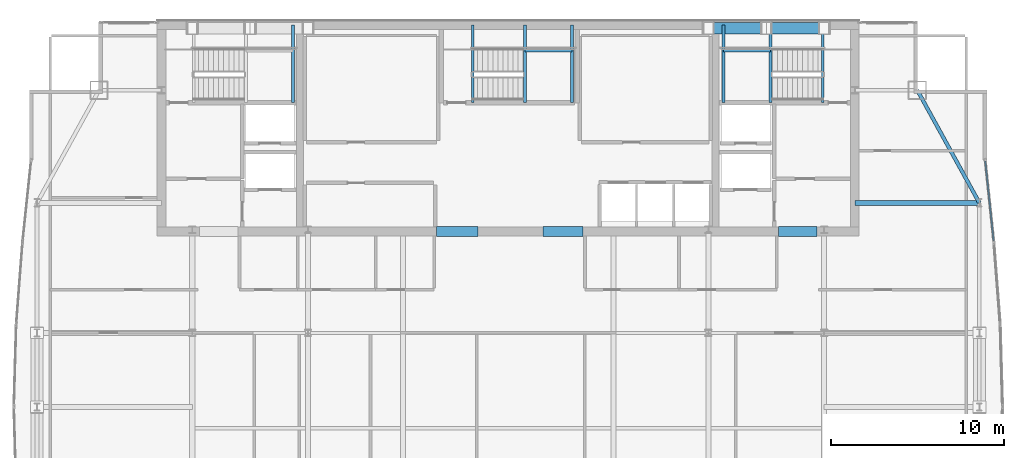
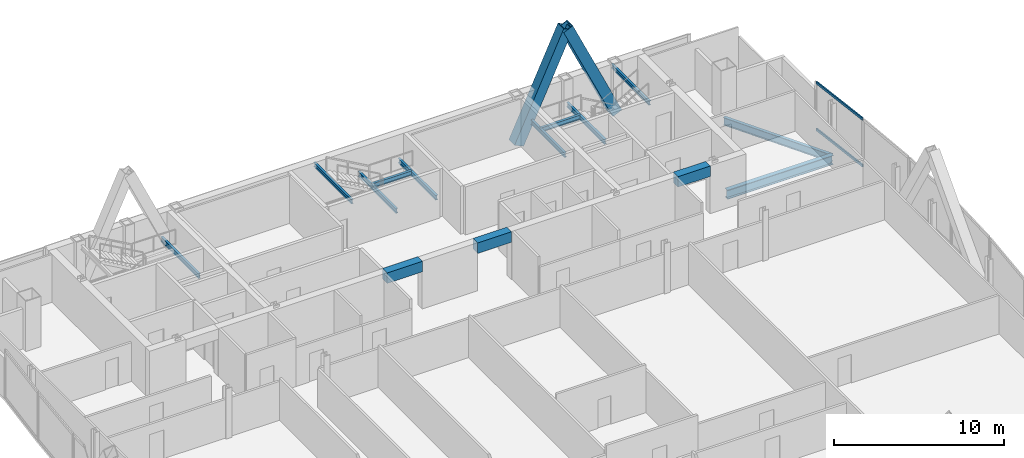
# One storey, part 22 of 30: 14 beams, 4 members, 1 element without a shape of its own.
"""IFC4 building model written with IfcOpenShell, lengths in metres."""

from ifc_helpers import new_model, si_unit, direction, frame, origin, origin_2d, place, context, subcontext, project, spatial, rectangle, hollow_rectangle, i_section, extrude, material, material_profile, profile_set, type_object, element, aggregate, save


model = new_model("IFC4")

# Units and contexts
model_context = context("Model", 3, precision=1e-05, world=origin(), true_north=direction((0.0, 1.0)))
body_context = subcontext(model_context, "Body", "Model", "MODEL_VIEW")
ifc_project = project(units=[si_unit("LENGTHUNIT", "METRE"), si_unit("AREAUNIT", "SQUARE_METRE"), si_unit("VOLUMEUNIT", "CUBIC_METRE"), si_unit("PLANEANGLEUNIT", "RADIAN"), si_unit("MASSUNIT", "GRAM", prefix="KILO")], contexts=[model_context])

# Site, building, storey
site_placement = place(None, origin())
site = spatial("IfcSite", under=ifc_project, at=site_placement, CompositionType="ELEMENT")
building_placement = place(site_placement, origin())
building = spatial("IfcBuilding", under=site, at=building_placement, Name="Khoronbel Lancet Exchange", CompositionType="ELEMENT")
storey_placement = place(building_placement, frame((0.0, 0.0, 284.199951171875)))
storey = spatial("IfcBuildingStorey", under=building, at=storey_placement, Name="L73", CompositionType="ELEMENT", Elevation=284.199951171875)

# Beams
ifc_material_1 = material(Name="Steel S355", Category="steel")
ifc_material_profile_1 = material_profile(ifc_material_1, i_section(OverallWidth=0.300048828125, OverallDepth=0.64990234375, WebThickness=0.01611328125, FlangeThickness=0.031005859375, at=origin_2d()), Name="HEB 650")
ifc_profile_set_1 = profile_set([ifc_material_profile_1], Name="Steel S355")
beam_type_1 = type_object("IfcBeamType", Name="BM-BG4", PredefinedType="BEAM", material=ifc_profile_set_1)
beam_1_placement = place(storey_placement, frame((56.449951171875, 43.199951171875, -0.48486328125), z_axis=(1.0, 0.0, 0.0), x_axis=(0.0, 1.0, 0.0)))
element("IfcBeam", 1, at=beam_1_placement, inside=storey, type_object=beam_type_1, Name="Level L73 east lens tie girder LG3E", PredefinedType="BEAM", context=body_context, shape_type="SweptSolid", body=[
    extrude(i_section(OverallWidth=0.300048828125, OverallDepth=0.64990234375, WebThickness=0.01611328125, FlangeThickness=0.031005859375, at=origin_2d()), origin(), (0.0, 0.0, 1.0), 7.179931640625),
])
ifc_material_profile_2 = material_profile(ifc_material_1, i_section(OverallWidth=0.159912109375, OverallDepth=0.330078125, WebThickness=0.007568359375, FlangeThickness=0.011474609375, at=origin_2d()), Name="IPE 330")
ifc_profile_set_2 = profile_set([ifc_material_profile_2], Name="Steel S355")
beam_type_2 = type_object("IfcBeamType", Name="BM-BJ7", PredefinedType="JOIST", material=ifc_profile_set_2)
for number, where, z_axis, x_axis, name in (
    (2, (24.030029296875, 48.97998046875, 1.43505859375), (0.0, 1.0, 0.0), (-1.0, 0.0, 0.0), "Level L73 stair ST1 rear landing bearer beam 1"),
    (3, (51.580078125, 48.97998046875, 1.43505859375), (0.0, 1.0, 0.0), (-1.0, 0.0, 0.0), "Level L73 stair ST2 landing bearer beam 1"),
    (4, (48.8701171875, 48.97998046875, 1.43505859375), (0.0, 1.0, 0.0), (-1.0, 0.0, 0.0), "Level L73 stair ST2 rear landing bearer beam 1"),
):
    element("IfcBeam", number, at=place(storey_placement, frame(where, z_axis=z_axis, x_axis=x_axis)), inside=storey, type_object=beam_type_2, Name=name, PredefinedType="JOIST", context=body_context, shape_type="SweptSolid", body=[
        extrude(i_section(OverallWidth=0.159912109375, OverallDepth=0.330078125, WebThickness=0.007568359375, FlangeThickness=0.011474609375, at=origin_2d()), origin(), (0.0, 0.0, 1.0), 4.469970703125),
    ])
beam_2_placement = place(storey_placement, frame((48.8701171875, 51.97998046875, 1.43505859375), z_axis=(1.0, 0.0, 0.0), x_axis=(0.0, 1.0, 0.0)))
element("IfcBeam", 5, at=beam_2_placement, inside=storey, type_object=beam_type_2, Name="Level L73 stair ST2 landing cross trimmer beam 1", PredefinedType="JOIST", context=body_context, shape_type="SweptSolid", body=[
    extrude(i_section(OverallWidth=0.159912109375, OverallDepth=0.330078125, WebThickness=0.007568359375, FlangeThickness=0.011474609375, at=origin_2d()), origin(), (0.0, 0.0, 1.0), 2.7099609375),
])
for number, where, z_axis, x_axis, name in (
    (6, (37.419921875, 48.97998046875, 1.43505859375), (0.0, 1.0, 0.0), (-1.0, 0.0, 0.0), "Level L73 stair ST3 landing bearer beam 1"),
    (7, (40.1298828125, 48.97998046875, 1.43505859375), (0.0, 1.0, 0.0), (-1.0, 0.0, 0.0), "Level L73 stair ST3 rear landing bearer beam 1"),
):
    element("IfcBeam", number, at=place(storey_placement, frame(where, z_axis=z_axis, x_axis=x_axis)), inside=storey, type_object=beam_type_2, Name=name, PredefinedType="JOIST", context=body_context, shape_type="SweptSolid", body=[
        extrude(i_section(OverallWidth=0.159912109375, OverallDepth=0.330078125, WebThickness=0.007568359375, FlangeThickness=0.011474609375, at=origin_2d()), origin(), (0.0, 0.0, 1.0), 4.469970703125),
    ])
beam_3_placement = place(storey_placement, frame((37.419921875, 51.97998046875, 1.43505859375), z_axis=(1.0, 0.0, 0.0), x_axis=(0.0, 1.0, 0.0)))
element("IfcBeam", 8, at=beam_3_placement, inside=storey, type_object=beam_type_2, Name="Level L73 stair ST3 landing cross trimmer beam 1", PredefinedType="JOIST", context=body_context, shape_type="SweptSolid", body=[
    extrude(i_section(OverallWidth=0.159912109375, OverallDepth=0.330078125, WebThickness=0.007568359375, FlangeThickness=0.011474609375, at=origin_2d()), origin(), (0.0, 0.0, 1.0), 2.7099609375),
])
ifc_material_profile_3 = material_profile(ifc_material_1, i_section(OverallWidth=0.14990234375, OverallDepth=0.300048828125, WebThickness=0.007080078125, FlangeThickness=0.0107421875, at=origin_2d()), Name="IPE 300")
ifc_profile_set_3 = profile_set([ifc_material_profile_3], Name="Steel S355")
beam_type_3 = type_object("IfcBeamType", Name="BM-BJ8", PredefinedType="JOIST", material=ifc_profile_set_3)
for number, where, z_axis, x_axis, name in (
    (9, (54.60009765625, 48.97998046875, 3.16015625), (0.0, 1.0, 0.0), (-1.0, 0.0, 0.0), "Level L73 stair ST2 upper-flight arrival trimmer beam"),
    (10, (34.39990234375, 48.97998046875, 3.16015625), (0.0, 1.0, 0.0), (-1.0, 0.0, 0.0), "Level L73 stair ST3 upper-flight arrival trimmer beam"),
):
    element("IfcBeam", number, at=place(storey_placement, frame(where, z_axis=z_axis, x_axis=x_axis)), inside=storey, type_object=beam_type_3, Name=name, PredefinedType="JOIST", context=body_context, shape_type="SweptSolid", body=[
        extrude(i_section(OverallWidth=0.14990234375, OverallDepth=0.300048828125, WebThickness=0.007080078125, FlangeThickness=0.0107421875, at=origin_2d()), origin(), (0.0, 0.0, 1.0), 4.469970703125),
    ])
ifc_material_2 = material(Name="Concrete C60/75", Category="concrete")
ifc_material_profile_4 = material_profile(ifc_material_2, rectangle(XDim=0.550048828125, YDim=0.75, at=origin_2d()), Name="RC 550x750")
ifc_profile_set_4 = profile_set([ifc_material_profile_4], Name="Concrete C60/75")
beam_type_4 = type_object("IfcBeamType", Name="BM-BL2", PredefinedType="LINTEL", material=ifc_profile_set_4)
beam_4_placement = place(storey_placement, frame((32.300048828125, 41.550048828125, 3.06494140625), z_axis=(1.0, 0.0, 0.0), x_axis=(0.0, 1.0, 0.0)))
element("IfcBeam", 11, at=beam_4_placement, inside=storey, type_object=beam_type_4, Name="Level L73 rear core coupling lintel L2", PredefinedType="LINTEL", context=body_context, shape_type="SweptSolid", body=[
    extrude(rectangle(XDim=0.550048828125, YDim=0.75, at=origin_2d()), origin(), (0.0, 0.0, 1.0), 2.39990234375),
])
beam_5_placement = place(storey_placement, frame((38.449951171875, 41.550048828125, 3.06494140625), z_axis=(1.0, 0.0, 0.0), x_axis=(0.0, 1.0, 0.0)))
element("IfcBeam", 12, at=beam_5_placement, inside=storey, type_object=beam_type_4, Name="Level L73 rear core coupling lintel L3", PredefinedType="LINTEL", context=body_context, shape_type="SweptSolid", body=[
    extrude(rectangle(XDim=0.550048828125, YDim=0.75, at=origin_2d()), origin(), (0.0, 0.0, 1.0), 2.300048828125),
])
beam_6_placement = place(storey_placement, frame((52.050048828125, 41.550048828125, 3.06494140625), z_axis=(1.0, 0.0, 0.0), x_axis=(0.0, 1.0, 0.0)))
element("IfcBeam", 13, at=beam_6_placement, inside=storey, type_object=beam_type_4, Name="Level L73 rear core coupling lintel L4", PredefinedType="LINTEL", context=body_context, shape_type="SweptSolid", body=[
    extrude(rectangle(XDim=0.550048828125, YDim=0.75, at=origin_2d()), origin(), (0.0, 0.0, 1.0), 2.199951171875),
])
ifc_material_profile_5 = material_profile(ifc_material_1, i_section(OverallWidth=0.2099609375, OverallDepth=0.550048828125, WebThickness=0.010986328125, FlangeThickness=0.01708984375, at=origin_2d()), Name="IPE 550")
ifc_profile_set_5 = profile_set([ifc_material_profile_5], Name="Steel S355")
beam_type_5 = type_object("IfcBeamType", Name="BM-BSP3", PredefinedType="SPANDREL", material=ifc_profile_set_5)
beam_7_placement = place(storey_placement, frame((63.6298828125, 43.199951171875, -0.43505859375), z_axis=(-0.482418808117, 0.875940690672, 0.0), x_axis=(-0.875940690672, -0.482418808117, 0.0)))
element("IfcBeam", 14, at=beam_7_placement, inside=storey, type_object=beam_type_5, Name="Level L73 perimeter spandrel beam SP15", PredefinedType="SPANDREL", context=body_context, shape_type="SweptSolid", body=[
    extrude(i_section(OverallWidth=0.2099609375, OverallDepth=0.550048828125, WebThickness=0.010986328125, FlangeThickness=0.01708984375, at=origin_2d()), origin(), (0.0, 0.0, 1.0), 7.420654296875),
])

# Curtain wall, members
ifc_material_3 = material(Name="Low-E Solar Control Insulating Glass", Category="glass")
curtain_wall_type = type_object("IfcCurtainWallType", Name="CW-4", PredefinedType="NOTDEFINED", material=ifc_material_3)
curtain_wall_placement = place(storey_placement, origin())
curtain_wall = element("IfcCurtainWall", 15, at=curtain_wall_placement, inside=storey, type_object=curtain_wall_type, Name="Unitised curtain wall CW-L73-E17", PredefinedType="NOTDEFINED")
ifc_material_4 = material(Name="Bronze-Anodised Aluminium 6063-T6", Category="aluminium")
ifc_material_profile_6 = material_profile(ifc_material_4, hollow_rectangle(XDim=0.0849609375, YDim=0.179931640625, WallThickness=0.0048828125, at=origin_2d()), Name="ALU TRANSOM 85x180")
ifc_profile_set_6 = profile_set([ifc_material_profile_6], Name="Bronze-Anodised Aluminium 6063-T6")
member_type_1 = type_object("IfcMemberType", Name="MEM-CWT1", PredefinedType="USERDEFINED", material=ifc_profile_set_6)
member_1_placement = place(storey_placement, frame((63.9677734375, 45.62060546875, 0.04248046875), z_axis=(0.104728704909, -0.994500828742, 0.0), x_axis=(0.994500828742, 0.104728704909, 0.0)))
member_1 = element("IfcMember", 16, at=member_1_placement, type_object=member_type_1, Name="CW4 transom 1.1", ObjectType="TRANSOM", PredefinedType="USERDEFINED", context=body_context, shape_type="SweptSolid", body=[
    extrude(hollow_rectangle(XDim=0.0849609375, YDim=0.179931640625, WallThickness=0.0048828125, at=origin_2d()), origin(), (0.0, 0.0, 1.0), 4.629638671875),
])
member_2_placement = place(storey_placement, frame((63.9677734375, 45.62060546875, 3.3974609375), z_axis=(0.104728704909, -0.994500828742, 0.0), x_axis=(0.994500828742, 0.104728704909, 0.0)))
member_2 = element("IfcMember", 17, at=member_2_placement, type_object=member_type_1, Name="CW4 transom 1.2", ObjectType="TRANSOM", PredefinedType="USERDEFINED", context=body_context, shape_type="SweptSolid", body=[
    extrude(hollow_rectangle(XDim=0.0849609375, YDim=0.179931640625, WallThickness=0.0048828125, at=origin_2d()), origin(), (0.0, 0.0, 1.0), 4.629638671875),
])
aggregate(curtain_wall, [member_1, member_2])

# Members
ifc_material_5 = material(Name="Steel S460", Category="steel")
ifc_material_profile_7 = material_profile(ifc_material_5, hollow_rectangle(XDim=0.679931640625, YDim=0.679931640625, WallThickness=0.044921875, at=origin_2d()), Name="BOX 680x680x45")
ifc_profile_set_7 = profile_set([ifc_material_profile_7], Name="Steel S460")
member_type_2 = type_object("IfcMemberType", Name="MEM-MB3", PredefinedType="BRACE", material=ifc_profile_set_7)
member_3_placement = place(storey_placement, frame((48.0, 53.280029296875, 0.0), z_axis=(0.420548106082, 0.0, 0.907270241147), x_axis=(0.0, 1.0, 0.0)))
element("IfcMember", 18, at=member_3_placement, inside=storey, type_object=member_type_2, Name="Perimeter lancet brace tier 25 N-E-L", PredefinedType="BRACE", context=body_context, shape_type="SweptSolid", body=[
    extrude(hollow_rectangle(XDim=0.679931640625, YDim=0.679931640625, WallThickness=0.044921875, at=origin_2d()), origin(), (0.0, 0.0, 1.0), 7.935791015625),
])
member_4_placement = place(storey_placement, frame((54.675048828125, 53.280029296875, 0.0), z_axis=(-0.420573428903, 0.0, 0.907258502799), x_axis=(0.0, -1.0, 0.0)))
element("IfcMember", 19, at=member_4_placement, inside=storey, type_object=member_type_2, Name="Perimeter lancet brace tier 25 N-E-R", PredefinedType="BRACE", context=body_context, shape_type="SweptSolid", body=[
    extrude(hollow_rectangle(XDim=0.679931640625, YDim=0.679931640625, WallThickness=0.044921875, at=origin_2d()), origin(), (0.0, 0.0, 1.0), 7.93603515625),
])

save(model, "model.ifc")
